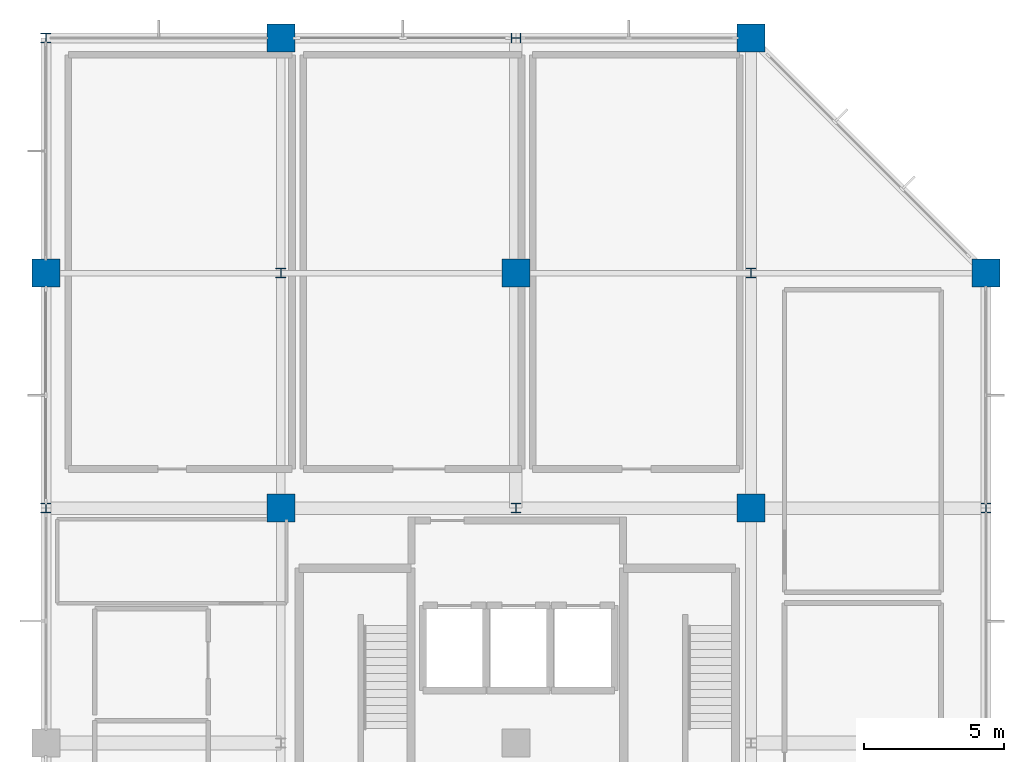
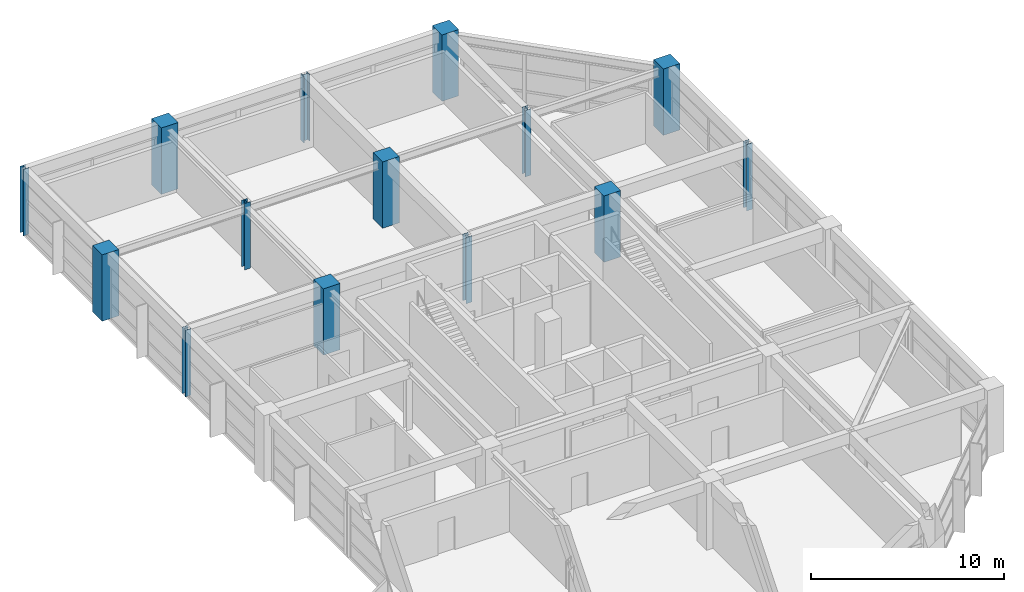
# One storey, part 2 of 15: 14 columns.
"""IFC4 building model written with IfcOpenShell, lengths in metres."""

from ifc_helpers import new_model, si_unit, direction, frame, origin, origin_2d, place, context, subcontext, project, spatial, rectangle, i_section, extrude, material, material_profile, profile_set, type_object, element, save


model = new_model("IFC4")

# Units and contexts
model_context = context("Model", 3, precision=1e-05, world=origin(), true_north=direction((0.0, 1.0)))
body_context = subcontext(model_context, "Body", "Model", "MODEL_VIEW")
ifc_project = project(units=[si_unit("LENGTHUNIT", "METRE"), si_unit("AREAUNIT", "SQUARE_METRE"), si_unit("VOLUMEUNIT", "CUBIC_METRE"), si_unit("PLANEANGLEUNIT", "RADIAN"), si_unit("MASSUNIT", "GRAM", prefix="KILO")], contexts=[model_context])

# Site, building, storey
site_placement = place(None, origin())
site = spatial("IfcSite", under=ifc_project, at=site_placement, CompositionType="ELEMENT")
building_placement = place(site_placement, origin())
building = spatial("IfcBuilding", under=site, at=building_placement, Name="Xuanlan Plaza Opera House", CompositionType="ELEMENT")
storey_placement = place(building_placement, frame((0.0, 0.0, 53.10009765625)))
storey = spatial("IfcBuildingStorey", under=building, at=storey_placement, Name="L12", CompositionType="ELEMENT", Elevation=53.10009765625)

# Columns
ifc_material_1 = material(Name="Concrete C50", Category="concrete")
ifc_material_profile_1 = material_profile(ifc_material_1, rectangle(XDim=1.0, YDim=1.0, at=origin_2d()), Name="RC-COL 1000x1000")
ifc_profile_set_1 = profile_set([ifc_material_profile_1], Name="Concrete C50")
column_type_1 = type_object("IfcColumnType", Name="STR-COL-C-04", PredefinedType="COLUMN", material=ifc_profile_set_1)
for number, where, z_axis, x_axis, name in (
    (1, (126.0, 75.60009765625, 0.0), (0.0, 0.0, 1.0), (1.0, 0.0, 0.0), "Column L12 16-J"),
    (2, (134.39990234375, 67.199951171875, 0.0), (0.0, 0.0, 1.0), (1.0, 0.0, 0.0), "Column L12 17-I"),
    (3, (134.39990234375, 84.0, 0.0), (0.0, 0.0, 1.0), (1.0, 0.0, 0.0), "Column L12 17-K"),
    (4, (142.800048828125, 75.60009765625, 0.0), (0.0, 0.0, 1.0), (1.0, 0.0, 0.0), "Column L12 18-J"),
    (5, (151.199951171875, 67.199951171875, 0.0), (0.0, 0.0, 1.0), (1.0, 0.0, 0.0), "Column L12 19-I"),
    (6, (151.199951171875, 84.0, 0.0), (0.0, 0.0, 1.0), (1.0, 0.0, 0.0), "Column L12 19-K"),
    (7, (159.60009765625, 75.60009765625, 0.0), (0.0, 0.0, 1.0), (1.0, 0.0, 0.0), "Column L12 20-J"),
):
    element("IfcColumn", number, at=place(storey_placement, frame(where, z_axis=z_axis, x_axis=x_axis)), inside=storey, type_object=column_type_1, Name=name, PredefinedType="COLUMN", context=body_context, shape_type="SweptSolid", body=[
        extrude(rectangle(XDim=1.0, YDim=1.0, at=origin_2d()), origin(), (0.0, 0.0, 1.0), 4.199951171875),
    ])
ifc_material_2 = material(Name="Steel Q355B", Category="steel")
ifc_material_profile_2 = material_profile(ifc_material_2, i_section(OverallWidth=0.35009765625, OverallDepth=0.35009765625, WebThickness=0.011962890625, FlangeThickness=0.01904296875, FilletRadius=0.02001953125, at=origin_2d()), Name="HW 350x350x12x19")
ifc_profile_set_2 = profile_set([ifc_material_profile_2], Name="Steel Q355B")
column_type_2 = type_object("IfcColumnType", Name="STR-COL-C-15", PredefinedType="COLUMN", material=ifc_profile_set_2)
for number, where, z_axis, x_axis, name in (
    (8, (126.0, 67.199951171875, 0.0), (0.0, 0.0, 1.0), (1.0, 0.0, 0.0), "Column L12 16-I"),
    (9, (126.0, 84.0, 0.0), (0.0, 0.0, 1.0), (1.0, 0.0, 0.0), "Column L12 16-K"),
    (10, (134.39990234375, 75.60009765625, 0.0), (0.0, 0.0, 1.0), (1.0, 0.0, 0.0), "Column L12 17-J"),
    (11, (142.800048828125, 67.199951171875, 0.0), (0.0, 0.0, 1.0), (1.0, 0.0, 0.0), "Column L12 18-I"),
    (12, (142.800048828125, 84.0, 0.0), (0.0, 0.0, 1.0), (0.0, 1.0, 0.0), "Column L12 18-K"),
    (13, (151.199951171875, 75.60009765625, 0.0), (0.0, 0.0, 1.0), (1.0, 0.0, 0.0), "Column L12 19-J"),
    (14, (159.60009765625, 67.199951171875, 0.0), (0.0, 0.0, 1.0), (1.0, 0.0, 0.0), "Column L12 20-I"),
):
    element("IfcColumn", number, at=place(storey_placement, frame(where, z_axis=z_axis, x_axis=x_axis)), inside=storey, type_object=column_type_2, Name=name, PredefinedType="COLUMN", context=body_context, shape_type="SweptSolid", body=[
        extrude(i_section(OverallWidth=0.35009765625, OverallDepth=0.35009765625, WebThickness=0.011962890625, FlangeThickness=0.01904296875, FilletRadius=0.02001953125, at=origin_2d()), origin(), (0.0, 0.0, 1.0), 4.199951171875),
    ])

save(model, "model.ifc")
